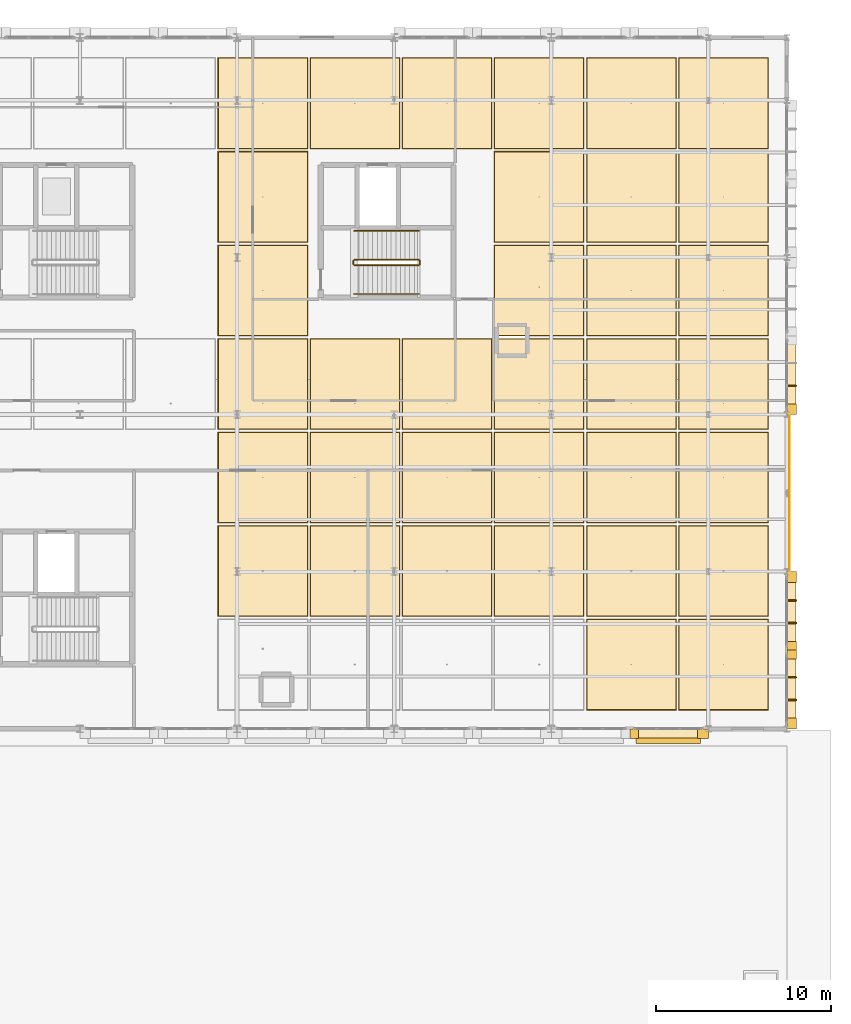
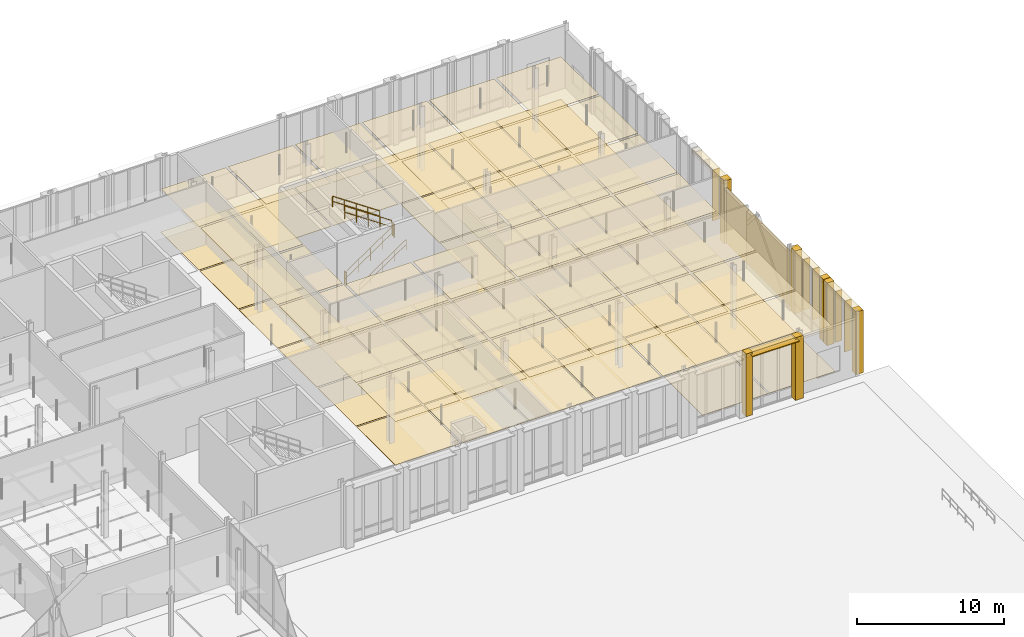
# One storey, part 178 of 180: 80 coverings, 6 railings, 6 shading devices.
"""IFC4 building model written with IfcOpenShell, lengths in metres."""

from ifc_helpers import new_model, si_unit, direction, frame, origin, origin_2d, place, context, subcontext, project, spatial, rectangle, circle, extrude, material, layer, layer_set, type_object, element, save


model = new_model("IFC4")

# Units and contexts
model_context = context("Model", 3, precision=1e-05, world=origin(), true_north=direction((0.0, 1.0)))
body_context = subcontext(model_context, "Body", "Model", "MODEL_VIEW")
ifc_project = project(units=[si_unit("LENGTHUNIT", "METRE"), si_unit("AREAUNIT", "SQUARE_METRE"), si_unit("VOLUMEUNIT", "CUBIC_METRE"), si_unit("PLANEANGLEUNIT", "RADIAN"), si_unit("MASSUNIT", "GRAM", prefix="KILO"), si_unit("THERMODYNAMICTEMPERATUREUNIT", "KELVIN"), si_unit("POWERUNIT", "WATT")], contexts=[model_context])

# Site, building, storey
site_placement = place(None, origin())
site = spatial("IfcSite", under=ifc_project, at=site_placement, CompositionType="ELEMENT")
building_placement = place(site_placement, origin())
building = spatial("IfcBuilding", under=site, at=building_placement, Name="Tallowbark Science Centre", CompositionType="ELEMENT")
storey_placement = place(building_placement, origin())
storey = spatial("IfcBuildingStorey", under=building, at=storey_placement, Name="L00", CompositionType="ELEMENT", Elevation=0.0)

# Coverings
ifc_material_1 = material(Name="Mineral-Fibre Acoustic Ceiling Tile Grid")
ifc_layer_1 = layer(ifc_material_1, 0.01806640625)
ifc_layer_set_1 = layer_set([ifc_layer_1], Name="Mineral-Fibre Acoustic Ceiling Tile Grid")
covering_type_1 = type_object("IfcCoveringType", Name="CLG-ACT-18", PredefinedType="CEILING", material=ifc_layer_set_1)
for number, where, z_axis, x_axis, name in (
    (1, (131.97216796875, 81.03564453125, 3.591064453125), (0.0, 0.0, 1.0), (1.0, 0.0, 0.0), "Suspended Ceiling L00-428"),
    (2, (131.97216796875, 86.392822265625, 3.591064453125), (0.0, 0.0, 1.0), (1.0, 0.0, 0.0), "Suspended Ceiling L00-429"),
    (3, (131.97216796875, 91.75, 3.591064453125), (0.0, 0.0, 1.0), (1.0, 0.0, 0.0), "Suspended Ceiling L00-430"),
    (4, (131.97216796875, 97.107177734375, 3.591064453125), (0.0, 0.0, 1.0), (1.0, 0.0, 0.0), "Suspended Ceiling L00-431"),
    (5, (131.97216796875, 102.46435546875, 3.591064453125), (0.0, 0.0, 1.0), (1.0, 0.0, 0.0), "Suspended Ceiling L00-432"),
    (6, (131.97216796875, 107.8212890625, 3.591064453125), (0.0, 0.0, 1.0), (1.0, 0.0, 0.0), "Suspended Ceiling L00-433"),
    (7, (137.25, 81.03564453125, 3.591064453125), (0.0, 0.0, 1.0), (1.0, 0.0, 0.0), "Suspended Ceiling L00-435"),
    (8, (137.25, 86.392822265625, 3.591064453125), (0.0, 0.0, 1.0), (1.0, 0.0, 0.0), "Suspended Ceiling L00-436"),
    (9, (137.25, 91.75, 3.591064453125), (0.0, 0.0, 1.0), (1.0, 0.0, 0.0), "Suspended Ceiling L00-437"),
    (10, (137.25, 107.8212890625, 3.591064453125), (0.0, 0.0, 1.0), (1.0, 0.0, 0.0), "Suspended Ceiling L00-438"),
    (11, (142.52783203125, 81.03564453125, 3.591064453125), (0.0, 0.0, 1.0), (1.0, 0.0, 0.0), "Suspended Ceiling L00-440"),
    (12, (142.52783203125, 86.392822265625, 3.591064453125), (0.0, 0.0, 1.0), (1.0, 0.0, 0.0), "Suspended Ceiling L00-441"),
    (13, (142.52783203125, 91.75, 3.591064453125), (0.0, 0.0, 1.0), (1.0, 0.0, 0.0), "Suspended Ceiling L00-442"),
    (14, (142.52783203125, 107.8212890625, 3.591064453125), (0.0, 0.0, 1.0), (1.0, 0.0, 0.0), "Suspended Ceiling L00-443"),
    (15, (147.8056640625, 81.03564453125, 3.591064453125), (0.0, 0.0, 1.0), (1.0, 0.0, 0.0), "Suspended Ceiling L00-445"),
    (16, (147.8056640625, 86.392822265625, 3.591064453125), (0.0, 0.0, 1.0), (1.0, 0.0, 0.0), "Suspended Ceiling L00-446"),
    (17, (147.8056640625, 91.75, 3.591064453125), (0.0, 0.0, 1.0), (1.0, 0.0, 0.0), "Suspended Ceiling L00-447"),
    (18, (147.8056640625, 97.107177734375, 3.591064453125), (0.0, 0.0, 1.0), (1.0, 0.0, 0.0), "Suspended Ceiling L00-448"),
    (19, (147.8056640625, 102.46435546875, 3.591064453125), (0.0, 0.0, 1.0), (1.0, 0.0, 0.0), "Suspended Ceiling L00-449"),
    (20, (147.8056640625, 107.8212890625, 3.591064453125), (0.0, 0.0, 1.0), (1.0, 0.0, 0.0), "Suspended Ceiling L00-450"),
    (21, (153.083251953125, 75.6787109375, 3.591064453125), (0.0, 0.0, 1.0), (1.0, 0.0, 0.0), "Suspended Ceiling L00-451"),
    (22, (153.083251953125, 81.03564453125, 3.591064453125), (0.0, 0.0, 1.0), (1.0, 0.0, 0.0), "Suspended Ceiling L00-452"),
    (23, (153.083251953125, 86.392822265625, 3.591064453125), (0.0, 0.0, 1.0), (1.0, 0.0, 0.0), "Suspended Ceiling L00-453"),
    (24, (153.083251953125, 91.75, 3.591064453125), (0.0, 0.0, 1.0), (1.0, 0.0, 0.0), "Suspended Ceiling L00-454"),
    (25, (153.083251953125, 97.107177734375, 3.591064453125), (0.0, 0.0, 1.0), (1.0, 0.0, 0.0), "Suspended Ceiling L00-455"),
    (26, (153.083251953125, 102.46435546875, 3.591064453125), (0.0, 0.0, 1.0), (1.0, 0.0, 0.0), "Suspended Ceiling L00-456"),
    (27, (153.083251953125, 107.8212890625, 3.591064453125), (0.0, 0.0, 1.0), (1.0, 0.0, 0.0), "Suspended Ceiling L00-457"),
    (28, (158.361083984375, 75.6787109375, 3.591064453125), (0.0, 0.0, 1.0), (1.0, 0.0, 0.0), "Suspended Ceiling L00-458"),
    (29, (158.361083984375, 81.03564453125, 3.591064453125), (0.0, 0.0, 1.0), (1.0, 0.0, 0.0), "Suspended Ceiling L00-459"),
    (30, (158.361083984375, 86.392822265625, 3.591064453125), (0.0, 0.0, 1.0), (1.0, 0.0, 0.0), "Suspended Ceiling L00-460"),
    (31, (158.361083984375, 91.75, 3.591064453125), (0.0, 0.0, 1.0), (1.0, 0.0, 0.0), "Suspended Ceiling L00-461"),
    (32, (158.361083984375, 97.107177734375, 3.591064453125), (0.0, 0.0, 1.0), (1.0, 0.0, 0.0), "Suspended Ceiling L00-462"),
    (33, (158.361083984375, 102.46435546875, 3.591064453125), (0.0, 0.0, 1.0), (1.0, 0.0, 0.0), "Suspended Ceiling L00-463"),
    (34, (158.361083984375, 107.8212890625, 3.591064453125), (0.0, 0.0, 1.0), (1.0, 0.0, 0.0), "Suspended Ceiling L00-464"),
):
    element("IfcCovering", number, at=place(storey_placement, frame(where, z_axis=z_axis, x_axis=x_axis)), inside=storey, type_object=covering_type_1, Name=name, PredefinedType="CEILING", context=body_context, shape_type="SweptSolid", body=[
        extrude(rectangle(XDim=5.097900390625, YDim=5.177001953125, at=origin_2d()), origin(), (0.0, 0.0, 1.0), 0.01806640625),
    ])
ifc_material_2 = material(Name="White Architectural Precast Concrete Grade N40 (40 MPa)", Category="concrete")
ifc_layer_2 = layer(ifc_material_2, 0.1201171875)
ifc_layer_set_2 = layer_set([ifc_layer_2], Name="White Architectural Precast Concrete Grade N40 (40 MPa)")
covering_type_2 = type_object("IfcCoveringType", Name="COV-PRC-CLAD", PredefinedType="CLADDING", material=ifc_layer_set_2)
covering_1_placement = place(storey_placement, frame((153.2548828125, 71.719970703125, 0.0), z_axis=(0.0, 0.0, 1.0), x_axis=(1.0, 0.0, 0.0)))
element("IfcCovering", 35, at=covering_1_placement, inside=storey, type_object=covering_type_2, Name="Postmodern Deep Precast Pier CW-L00-103-1", PredefinedType="CLADDING", context=body_context, shape_type="SweptSolid", body=[
    extrude(rectangle(XDim=0.510009765625, YDim=0.56005859375, at=origin_2d()), origin(), (0.0, 0.0, 1.0), 5.219970703125),
])
for number, where, z_axis, x_axis, name in (
    (36, (157.195068359375, 71.719970703125, 0.0), (0.0, 0.0, 1.0), (1.0, 0.0, 0.0), "Postmodern Deep Precast Pier CW-L00-103-2"),
    (37, (162.280029296875, 72.304931640625, 0.0), (0.0, 0.0, 1.0), (0.0, 1.0, 0.0), "Postmodern Deep Precast Pier CW-L00-106-1"),
):
    element("IfcCovering", number, at=place(storey_placement, frame(where, z_axis=z_axis, x_axis=x_axis)), inside=storey, type_object=covering_type_2, Name=name, PredefinedType="CLADDING", context=body_context, shape_type="SweptSolid", body=[
        extrude(rectangle(XDim=0.610107421875, YDim=0.56005859375, at=origin_2d()), origin(), (0.0, 0.0, 1.0), 5.219970703125),
    ])
for number, where, z_axis, x_axis, name in (
    (38, (162.280029296875, 76.2451171875, 0.0), (0.0, 0.0, 1.0), (0.0, 1.0, 0.0), "Postmodern Deep Precast Pier CW-L00-106-2"),
    (39, (162.280029296875, 76.7548828125, 0.0), (0.0, 0.0, 1.0), (0.0, 1.0, 0.0), "Postmodern Deep Precast Pier CW-L00-107-1"),
):
    element("IfcCovering", number, at=place(storey_placement, frame(where, z_axis=z_axis, x_axis=x_axis)), inside=storey, type_object=covering_type_2, Name=name, PredefinedType="CLADDING", context=body_context, shape_type="SweptSolid", body=[
        extrude(rectangle(XDim=0.510009765625, YDim=0.56005859375, at=origin_2d()), origin(), (0.0, 0.0, 1.0), 5.219970703125),
    ])
for number, where, z_axis, x_axis, name in (
    (40, (162.280029296875, 80.695068359375, 0.0), (0.0, 0.0, 1.0), (0.0, 1.0, 0.0), "Postmodern Deep Precast Pier CW-L00-107-2"),
    (41, (162.280029296875, 90.304931640625, 0.0), (0.0, 0.0, 1.0), (0.0, 1.0, 0.0), "Postmodern Deep Precast Pier CW-L00-108-1"),
):
    element("IfcCovering", number, at=place(storey_placement, frame(where, z_axis=z_axis, x_axis=x_axis)), inside=storey, type_object=covering_type_2, Name=name, PredefinedType="CLADDING", context=body_context, shape_type="SweptSolid", body=[
        extrude(rectangle(XDim=0.610107421875, YDim=0.56005859375, at=origin_2d()), origin(), (0.0, 0.0, 1.0), 5.219970703125),
    ])
ifc_material_3 = material(Name="Vitrified Ochre Terracotta Architectural Rainscreen", Category="masonry")
ifc_layer_3 = layer(ifc_material_3, 0.0380859375)
ifc_layer_set_3 = layer_set([ifc_layer_3], Name="Vitrified Ochre Terracotta Architectural Rainscreen")
covering_type_3 = type_object("IfcCoveringType", Name="COV-TER-CLAD", PredefinedType="CLADDING", material=ifc_layer_set_3)
for number, where, z_axis, x_axis, name in (
    (42, (155.199951171875, 71.739990234375, 4.8701171875), (0.0, 0.0, 1.0), (1.0, 0.0, 0.0), "Postmodern Terracotta Cornice Band CW-L00-103"),
    (43, (162.260009765625, 74.300048828125, 4.8701171875), (0.0, 0.0, 1.0), (0.0, 1.0, 0.0), "Postmodern Terracotta Cornice Band CW-L00-106"),
    (44, (162.260009765625, 78.699951171875, 4.8701171875), (0.0, 0.0, 1.0), (0.0, 1.0, 0.0), "Postmodern Terracotta Cornice Band CW-L00-107"),
):
    element("IfcCovering", number, at=place(storey_placement, frame(where, z_axis=z_axis, x_axis=x_axis)), inside=storey, type_object=covering_type_3, Name=name, PredefinedType="CLADDING", context=body_context, shape_type="SweptSolid", body=[
        extrude(rectangle(XDim=4.300048828125, YDim=0.52001953125, at=origin_2d()), origin(), (0.0, 0.0, 1.0), 0.340087890625),
    ])
covering_2_placement = place(storey_placement, frame((162.14404296875, 85.5, 0.0498046875), z_axis=(0.0, 0.0, 1.0), x_axis=(0.0, 1.0, 0.0)))
element("IfcCovering", 45, at=covering_2_placement, inside=storey, type_object=covering_type_3, Name="Architectural Rainscreen OBS-E-L00-81", PredefinedType="CLADDING", context=body_context, shape_type="SweptSolid", body=[
    extrude(rectangle(XDim=8.8798828125, YDim=0.0380859375, at=origin_2d()), origin(), (0.0, 0.0, 1.0), 4.646240234375),
])
covering_3_placement = place(storey_placement, frame((162.260009765625, 92.300048828125, 4.8701171875), z_axis=(0.0, 0.0, 1.0), x_axis=(0.0, 1.0, 0.0)))
element("IfcCovering", 46, at=covering_3_placement, inside=storey, type_object=covering_type_3, Name="Postmodern Terracotta Cornice Band CW-L00-108", PredefinedType="CLADDING", context=body_context, shape_type="SweptSolid", body=[
    extrude(rectangle(XDim=4.300048828125, YDim=0.52001953125, at=origin_2d()), origin(), (0.0, 0.0, 1.0), 0.340087890625),
])
ifc_material_4 = material(Name="Engineered Blackbutt Gallery Timber Flooring", Category="wood")
ifc_layer_4 = layer(ifc_material_4, 0.02197265625)
ifc_layer_set_4 = layer_set([ifc_layer_4], Name="Engineered Blackbutt Gallery Timber Flooring")
covering_type_4 = type_object("IfcCoveringType", Name="FLR-TIM-22", PredefinedType="FLOORING", material=ifc_layer_set_4)
for number, where, z_axis, x_axis, name in (
    (47, (131.97216796875, 81.03564453125, 0.0), (0.0, 0.0, 1.0), (1.0, 0.0, 0.0), "Floor Finish L00-428"),
    (48, (131.97216796875, 86.392822265625, 0.0), (0.0, 0.0, 1.0), (1.0, 0.0, 0.0), "Floor Finish L00-429"),
    (49, (131.97216796875, 91.75, 0.0), (0.0, 0.0, 1.0), (1.0, 0.0, 0.0), "Floor Finish L00-430"),
    (50, (131.97216796875, 97.107177734375, 0.0), (0.0, 0.0, 1.0), (1.0, 0.0, 0.0), "Floor Finish L00-431"),
    (51, (131.97216796875, 102.46435546875, 0.0), (0.0, 0.0, 1.0), (1.0, 0.0, 0.0), "Floor Finish L00-432"),
    (52, (131.97216796875, 107.8212890625, 0.0), (0.0, 0.0, 1.0), (1.0, 0.0, 0.0), "Floor Finish L00-433"),
    (53, (137.25, 81.03564453125, 0.0), (0.0, 0.0, 1.0), (1.0, 0.0, 0.0), "Floor Finish L00-435"),
    (54, (137.25, 86.392822265625, 0.0), (0.0, 0.0, 1.0), (1.0, 0.0, 0.0), "Floor Finish L00-436"),
    (55, (137.25, 91.75, 0.0), (0.0, 0.0, 1.0), (1.0, 0.0, 0.0), "Floor Finish L00-437"),
    (56, (137.25, 107.8212890625, 0.0), (0.0, 0.0, 1.0), (1.0, 0.0, 0.0), "Floor Finish L00-438"),
    (57, (142.52783203125, 81.03564453125, 0.0), (0.0, 0.0, 1.0), (1.0, 0.0, 0.0), "Floor Finish L00-440"),
    (58, (142.52783203125, 86.392822265625, 0.0), (0.0, 0.0, 1.0), (1.0, 0.0, 0.0), "Floor Finish L00-441"),
    (59, (142.52783203125, 91.75, 0.0), (0.0, 0.0, 1.0), (1.0, 0.0, 0.0), "Floor Finish L00-442"),
    (60, (142.52783203125, 107.8212890625, 0.0), (0.0, 0.0, 1.0), (1.0, 0.0, 0.0), "Floor Finish L00-443"),
    (61, (147.8056640625, 81.03564453125, 0.0), (0.0, 0.0, 1.0), (1.0, 0.0, 0.0), "Floor Finish L00-445"),
    (62, (147.8056640625, 86.392822265625, 0.0), (0.0, 0.0, 1.0), (1.0, 0.0, 0.0), "Floor Finish L00-446"),
    (63, (147.8056640625, 91.75, 0.0), (0.0, 0.0, 1.0), (1.0, 0.0, 0.0), "Floor Finish L00-447"),
    (64, (147.8056640625, 97.107177734375, 0.0), (0.0, 0.0, 1.0), (1.0, 0.0, 0.0), "Floor Finish L00-448"),
    (65, (147.8056640625, 102.46435546875, 0.0), (0.0, 0.0, 1.0), (1.0, 0.0, 0.0), "Floor Finish L00-449"),
    (66, (147.8056640625, 107.8212890625, 0.0), (0.0, 0.0, 1.0), (1.0, 0.0, 0.0), "Floor Finish L00-450"),
    (67, (153.083251953125, 75.6787109375, 0.0), (0.0, 0.0, 1.0), (1.0, 0.0, 0.0), "Floor Finish L00-451"),
    (68, (153.083251953125, 81.03564453125, 0.0), (0.0, 0.0, 1.0), (1.0, 0.0, 0.0), "Floor Finish L00-452"),
    (69, (153.083251953125, 86.392822265625, 0.0), (0.0, 0.0, 1.0), (1.0, 0.0, 0.0), "Floor Finish L00-453"),
    (70, (153.083251953125, 91.75, 0.0), (0.0, 0.0, 1.0), (1.0, 0.0, 0.0), "Floor Finish L00-454"),
    (71, (153.083251953125, 97.107177734375, 0.0), (0.0, 0.0, 1.0), (1.0, 0.0, 0.0), "Floor Finish L00-455"),
    (72, (153.083251953125, 102.46435546875, 0.0), (0.0, 0.0, 1.0), (1.0, 0.0, 0.0), "Floor Finish L00-456"),
    (73, (153.083251953125, 107.8212890625, 0.0), (0.0, 0.0, 1.0), (1.0, 0.0, 0.0), "Floor Finish L00-457"),
    (74, (158.361083984375, 75.6787109375, 0.0), (0.0, 0.0, 1.0), (1.0, 0.0, 0.0), "Floor Finish L00-458"),
    (75, (158.361083984375, 81.03564453125, 0.0), (0.0, 0.0, 1.0), (1.0, 0.0, 0.0), "Floor Finish L00-459"),
    (76, (158.361083984375, 86.392822265625, 0.0), (0.0, 0.0, 1.0), (1.0, 0.0, 0.0), "Floor Finish L00-460"),
    (77, (158.361083984375, 91.75, 0.0), (0.0, 0.0, 1.0), (1.0, 0.0, 0.0), "Floor Finish L00-461"),
    (78, (158.361083984375, 97.107177734375, 0.0), (0.0, 0.0, 1.0), (1.0, 0.0, 0.0), "Floor Finish L00-462"),
    (79, (158.361083984375, 102.46435546875, 0.0), (0.0, 0.0, 1.0), (1.0, 0.0, 0.0), "Floor Finish L00-463"),
    (80, (158.361083984375, 107.8212890625, 0.0), (0.0, 0.0, 1.0), (1.0, 0.0, 0.0), "Floor Finish L00-464"),
):
    element("IfcCovering", number, at=place(storey_placement, frame(where, z_axis=z_axis, x_axis=x_axis)), inside=storey, type_object=covering_type_4, Name=name, PredefinedType="FLOORING", context=body_context, shape_type="SweptSolid", body=[
        extrude(rectangle(XDim=5.15771484375, YDim=5.237060546875, at=origin_2d()), origin(), (0.0, 0.0, 1.0), 0.02197265625),
    ])

# Railings
ifc_material_5 = material(Name="Galvanised Painted Steel and Laminated Glass Balustrade", Category="steel")
ifc_layer_5 = layer(ifc_material_5, 0.070068359375)
ifc_layer_set_5 = layer_set([ifc_layer_5], Name="Galvanised Painted Steel and Laminated Glass Balustrade")
railing_type_1 = type_object("IfcRailingType", Name="RLG-BAL-1150", PredefinedType="BALUSTRADE", material=ifc_layer_set_5)
railing_1_placement = place(storey_placement, frame((137.2099609375, 98.56005859375, 0.179931640625)))
element("IfcRailing", 81, at=railing_1_placement, inside=storey, type_object=railing_type_1, Name="L00 ST-04 stair guard 1", PredefinedType="BALUSTRADE", context=body_context, shape_type="SweptSolid", body=[
    extrude(circle(Radius=0.02392578125, at=origin_2d()), frame((0.0, 0.0, 1.076171875), z_axis=(0.827211917306, 0.0, 0.561890063861), x_axis=(0.0, 1.0, 0.0)), (0.0, 0.0, 1.0), 4.48486328125),
    extrude(circle(Radius=0.02392578125, at=origin_2d()), frame((0.0, 0.0, 0.550048828125), z_axis=(0.827211917306, 0.0, 0.561890063861), x_axis=(0.0, 1.0, 0.0)), (0.0, 0.0, 1.0), 4.48486328125),
    extrude(circle(Radius=0.02099609375, at=origin_2d()), origin(), (0.0, 0.0, 1.0), 1.052001953125),
    extrude(circle(Radius=0.02099609375, at=origin_2d()), frame((0.927490234375, 0.0, 0.6298828125)), (0.0, 0.0, 1.0), 1.052001953125),
    extrude(circle(Radius=0.02099609375, at=origin_2d()), frame((1.85498046875, 0.0, 1.260009765625)), (0.0, 0.0, 1.0), 1.052001953125),
    extrude(circle(Radius=0.02099609375, at=origin_2d()), frame((2.782470703125, 0.0, 1.89013671875)), (0.0, 0.0, 1.0), 1.052001953125),
    extrude(circle(Radius=0.02099609375, at=origin_2d()), frame((3.7099609375, 0.0, 2.52001953125)), (0.0, 0.0, 1.0), 1.052001953125),
])
railing_2_placement = place(storey_placement, frame((140.969970703125, 98.610107421875, 2.699951171875)))
element("IfcRailing", 82, at=railing_2_placement, inside=storey, type_object=railing_type_1, Name="L00 ST-04 stair guard 2", PredefinedType="BALUSTRADE", context=body_context, shape_type="SweptSolid", body=[
    extrude(circle(Radius=0.02392578125, at=origin_2d()), frame((0.0, 0.0, 1.076171875), z_axis=(0.0, 1.0, 0.0), x_axis=(-1.0, 0.0, 0.0)), (0.0, 0.0, 1.0), 0.199951171875),
    extrude(circle(Radius=0.02392578125, at=origin_2d()), frame((0.0, 0.0, 0.550048828125), z_axis=(0.0, 1.0, 0.0), x_axis=(-1.0, 0.0, 0.0)), (0.0, 0.0, 1.0), 0.199951171875),
    extrude(circle(Radius=0.02099609375, at=origin_2d()), origin(), (0.0, 0.0, 1.0), 1.052001953125),
    extrude(circle(Radius=0.02099609375, at=origin_2d()), frame((0.0, 0.199951171875, 0.0)), (0.0, 0.0, 1.0), 1.052001953125),
])
railing_3_placement = place(storey_placement, frame((140.919921875, 98.860107421875, 2.8798828125)))
element("IfcRailing", 83, at=railing_3_placement, inside=storey, type_object=railing_type_1, Name="L00 ST-04 stair guard 3", PredefinedType="BALUSTRADE", context=body_context, shape_type="SweptSolid", body=[
    extrude(circle(Radius=0.02392578125, at=origin_2d()), frame((0.0, 0.0, 1.076171875), z_axis=(-0.827211917306, 0.0, 0.561890063861), x_axis=(0.0, -1.0, 0.0)), (0.0, 0.0, 1.0), 4.48486328125),
    extrude(circle(Radius=0.02392578125, at=origin_2d()), frame((0.0, 0.0, 0.550048828125), z_axis=(-0.827211917306, 0.0, 0.561890063861), x_axis=(0.0, -1.0, 0.0)), (0.0, 0.0, 1.0), 4.48486328125),
    extrude(circle(Radius=0.02099609375, at=origin_2d()), origin(), (0.0, 0.0, 1.0), 1.052001953125),
    extrude(circle(Radius=0.02099609375, at=origin_2d()), frame((-0.927490234375, 0.0, 0.6298828125)), (0.0, 0.0, 1.0), 1.052001953125),
    extrude(circle(Radius=0.02099609375, at=origin_2d()), frame((-1.85498046875, 0.0, 1.260009765625)), (0.0, 0.0, 1.0), 1.052001953125),
    extrude(circle(Radius=0.02099609375, at=origin_2d()), frame((-2.782470703125, 0.0, 1.89013671875)), (0.0, 0.0, 1.0), 1.052001953125),
    extrude(circle(Radius=0.02099609375, at=origin_2d()), frame((-3.7099609375, 0.0, 2.52001953125)), (0.0, 0.0, 1.0), 1.052001953125),
])
railing_4_placement = place(storey_placement, frame((137.159912109375, 98.610107421875, 0.0)))
element("IfcRailing", 84, at=railing_4_placement, inside=storey, type_object=railing_type_1, Name="L00 ST-04 stair guard 4", PredefinedType="BALUSTRADE", context=body_context, shape_type="SweptSolid", body=[
    extrude(circle(Radius=0.02392578125, at=origin_2d()), frame((0.0, 0.0, 1.076171875), z_axis=(0.0, 1.0, 0.0), x_axis=(-1.0, 0.0, 0.0)), (0.0, 0.0, 1.0), 0.199951171875),
    extrude(circle(Radius=0.02392578125, at=origin_2d()), frame((0.0, 0.0, 0.550048828125), z_axis=(0.0, 1.0, 0.0), x_axis=(-1.0, 0.0, 0.0)), (0.0, 0.0, 1.0), 0.199951171875),
    extrude(circle(Radius=0.02099609375, at=origin_2d()), origin(), (0.0, 0.0, 1.0), 1.052001953125),
    extrude(circle(Radius=0.02099609375, at=origin_2d()), frame((0.0, 0.199951171875, 0.0)), (0.0, 0.0, 1.0), 1.052001953125),
])
ifc_material_6 = material(Name="Brushed Grade 316 Stainless Steel Handrail", Category="steel")
ifc_layer_6 = layer(ifc_material_6, 0.050048828125)
ifc_layer_set_6 = layer_set([ifc_layer_6], Name="Brushed Grade 316 Stainless Steel Handrail")
railing_type_2 = type_object("IfcRailingType", Name="RLG-HDR-950", PredefinedType="HANDRAIL", material=ifc_layer_set_6)
railing_5_placement = place(storey_placement, frame((137.2099609375, 96.89990234375, 0.179931640625)))
element("IfcRailing", 85, at=railing_5_placement, inside=storey, type_object=railing_type_2, Name="L00 ST-04 stair handrail 1", PredefinedType="HANDRAIL", context=body_context, shape_type="SweptSolid", body=[
    extrude(circle(Radius=0.02392578125, at=origin_2d()), frame((0.0, 0.0, 0.8759765625), z_axis=(0.827211917306, 0.0, 0.561890063861), x_axis=(0.0, 1.0, 0.0)), (0.0, 0.0, 1.0), 4.48486328125),
    extrude(circle(Radius=0.02392578125, at=origin_2d()), frame((0.0, 0.0, 0.449951171875), z_axis=(0.827211917306, 0.0, 0.561890063861), x_axis=(0.0, 1.0, 0.0)), (0.0, 0.0, 1.0), 4.48486328125),
    extrude(circle(Radius=0.02099609375, at=origin_2d()), origin(), (0.0, 0.0, 1.0), 0.851806640625),
    extrude(circle(Radius=0.02099609375, at=origin_2d()), frame((0.927490234375, 0.0, 0.6298828125)), (0.0, 0.0, 1.0), 0.851806640625),
    extrude(circle(Radius=0.02099609375, at=origin_2d()), frame((1.85498046875, 0.0, 1.260009765625)), (0.0, 0.0, 1.0), 0.851806640625),
    extrude(circle(Radius=0.02099609375, at=origin_2d()), frame((2.782470703125, 0.0, 1.89013671875)), (0.0, 0.0, 1.0), 0.851806640625),
    extrude(circle(Radius=0.02099609375, at=origin_2d()), frame((3.7099609375, 0.0, 2.52001953125)), (0.0, 0.0, 1.0), 0.851806640625),
])
railing_6_placement = place(storey_placement, frame((140.919921875, 100.52001953125, 2.8798828125)))
element("IfcRailing", 86, at=railing_6_placement, inside=storey, type_object=railing_type_2, Name="L00 ST-04 stair handrail 2", PredefinedType="HANDRAIL", context=body_context, shape_type="SweptSolid", body=[
    extrude(circle(Radius=0.02392578125, at=origin_2d()), frame((0.0, 0.0, 0.8759765625), z_axis=(-0.827211917306, 0.0, 0.561890063861), x_axis=(0.0, -1.0, 0.0)), (0.0, 0.0, 1.0), 4.48486328125),
    extrude(circle(Radius=0.02392578125, at=origin_2d()), frame((0.0, 0.0, 0.449951171875), z_axis=(-0.827211917306, 0.0, 0.561890063861), x_axis=(0.0, -1.0, 0.0)), (0.0, 0.0, 1.0), 4.48486328125),
    extrude(circle(Radius=0.02099609375, at=origin_2d()), origin(), (0.0, 0.0, 1.0), 0.851806640625),
    extrude(circle(Radius=0.02099609375, at=origin_2d()), frame((-0.927490234375, 0.0, 0.6298828125)), (0.0, 0.0, 1.0), 0.851806640625),
    extrude(circle(Radius=0.02099609375, at=origin_2d()), frame((-1.85498046875, 0.0, 1.260009765625)), (0.0, 0.0, 1.0), 0.851806640625),
    extrude(circle(Radius=0.02099609375, at=origin_2d()), frame((-2.782470703125, 0.0, 1.89013671875)), (0.0, 0.0, 1.0), 0.851806640625),
    extrude(circle(Radius=0.02099609375, at=origin_2d()), frame((-3.7099609375, 0.0, 2.52001953125)), (0.0, 0.0, 1.0), 0.851806640625),
])

# Shading devices
ifc_material_7 = material(Name="Sandstone-Finished Architectural Aluminium Solar Fin", Category="masonry")
shading_device_type_1 = type_object("IfcShadingDeviceType", Name="SHD-FIN-400", PredefinedType="JALOUSIE", material=ifc_material_7)
for number, where, z_axis, x_axis, name in (
    (87, (162.280029296875, 73.64990234375, 0.9248046875), (0.0, 0.0, 1.0), (0.0, 1.0, 0.0), "Vertical Solar Fin CW-L00-106-1"),
    (88, (162.280029296875, 74.949951171875, 0.9248046875), (0.0, 0.0, 1.0), (0.0, 1.0, 0.0), "Vertical Solar Fin CW-L00-106-2"),
    (89, (162.280029296875, 78.050048828125, 0.9248046875), (0.0, 0.0, 1.0), (0.0, 1.0, 0.0), "Vertical Solar Fin CW-L00-107-1"),
    (90, (162.280029296875, 79.35009765625, 0.9248046875), (0.0, 0.0, 1.0), (0.0, 1.0, 0.0), "Vertical Solar Fin CW-L00-107-2"),
    (91, (162.280029296875, 91.64990234375, 0.9248046875), (0.0, 0.0, 1.0), (0.0, 1.0, 0.0), "Vertical Solar Fin CW-L00-108-1"),
):
    element("IfcShadingDevice", number, at=place(storey_placement, frame(where, z_axis=z_axis, x_axis=x_axis)), inside=storey, type_object=shading_device_type_1, Name=name, PredefinedType="JALOUSIE", context=body_context, shape_type="SweptSolid", body=[
        extrude(rectangle(XDim=0.074951171875, YDim=0.550048828125, at=origin_2d()), origin(), (0.0, 0.0, 1.0), 4.219970703125),
    ])
ifc_material_8 = material(Name="Terracotta-Anodised Extruded Aluminium Sunshade Blade", Category="masonry")
ifc_layer_7 = layer(ifc_material_8, 0.054931640625)
ifc_layer_set_7 = layer_set([ifc_layer_7], Name="Terracotta-Anodised Extruded Aluminium Sunshade Blade")
shading_device_type_2 = type_object("IfcShadingDeviceType", Name="SHD-LVR-300", PredefinedType="AWNING", material=ifc_layer_set_7)
shading_device_placement = place(storey_placement, frame((155.199951171875, 71.580078125, 5.03271484375), z_axis=(0.0, 0.0, 1.0), x_axis=(1.0, 0.0, 0.0)))
element("IfcShadingDevice", 92, at=shading_device_placement, inside=storey, type_object=shading_device_type_2, Name="Horizontal Solar Louvre Hood CW-L00-103", PredefinedType="AWNING", context=body_context, shape_type="SweptSolid", body=[
    extrude(rectangle(XDim=3.699951171875, YDim=0.840087890625, at=origin_2d()), origin(), (0.0, 0.0, 1.0), 0.054931640625),
])

save(model, "model.ifc")
